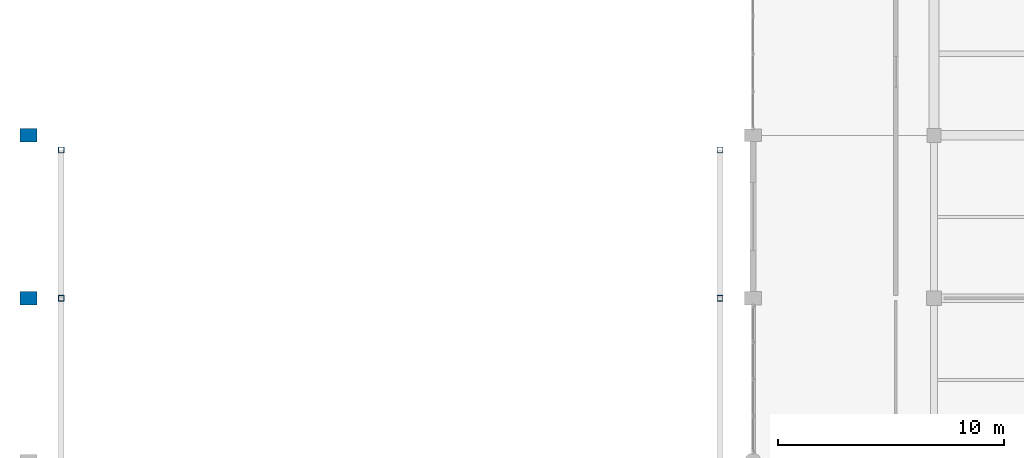
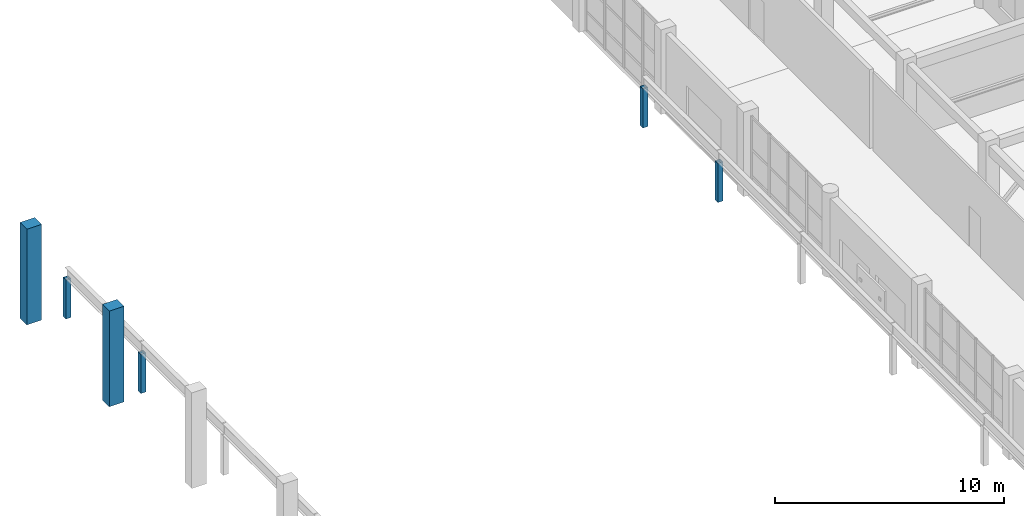
# One storey, part 15 of 160: 6 columns.
"""IFC4 building model written with IfcOpenShell, lengths in metres."""

from ifc_helpers import new_model, si_unit, direction, frame, origin, origin_2d, place, context, subcontext, project, spatial, rectangle, hollow_rectangle, extrude, material, material_profile, profile_set, type_object, element, save


model = new_model("IFC4")

# Units and contexts
model_context = context("Model", 3, precision=1e-05, world=origin(), true_north=direction((0.0, 1.0)))
body_context = subcontext(model_context, "Body", "Model", "MODEL_VIEW")
ifc_project = project(units=[si_unit("LENGTHUNIT", "METRE"), si_unit("AREAUNIT", "SQUARE_METRE"), si_unit("VOLUMEUNIT", "CUBIC_METRE"), si_unit("PLANEANGLEUNIT", "RADIAN"), si_unit("MASSUNIT", "GRAM", prefix="KILO")], contexts=[model_context])

# Site, building, storey
site_placement = place(None, origin())
site = spatial("IfcSite", under=ifc_project, at=site_placement, CompositionType="ELEMENT")
building_placement = place(site_placement, origin())
building = spatial("IfcBuilding", under=site, at=building_placement, Name="Kharva Crest Polytechnic", CompositionType="ELEMENT")
storey_placement = place(building_placement, frame((0.0, 0.0, 4.5)))
storey = spatial("IfcBuildingStorey", under=building, at=storey_placement, Name="L01", CompositionType="ELEMENT", Elevation=4.5)

# Columns
ifc_material_1 = material(Name="Concrete C40/50", Category="concrete")
ifc_material_profile_1 = material_profile(ifc_material_1, rectangle(XDim=0.75, YDim=0.60009765625, at=origin_2d()), Name="RECT 750 X 600")
ifc_profile_set_1 = profile_set([ifc_material_profile_1], Name="Concrete C40/50")
column_type_1 = type_object("IfcColumnType", Name="COL-EXT-750X600", PredefinedType="COLUMN", material=ifc_profile_set_1)
for number, where, z_axis, x_axis, name in (
    (1, (0.0, 86.0, 0.0), (0.0, 0.0, 1.0), (1.0, 0.0, 0.0), "L01 Column 1/M"),
    (2, (0.0, 93.199951171875, 0.0), (0.0, 0.0, 1.0), (1.0, 0.0, 0.0), "L01 Column 1/N"),
):
    element("IfcColumn", number, at=place(storey_placement, frame(where, z_axis=z_axis, x_axis=x_axis)), inside=storey, type_object=column_type_1, Name=name, PredefinedType="COLUMN", context=body_context, shape_type="SweptSolid", body=[
        extrude(rectangle(XDim=0.75, YDim=0.60009765625, at=origin_2d()), origin(), (0.0, 0.0, 1.0), 5.10009765625),
    ])
ifc_material_2 = material(Name="Steel S355", Category="steel")
ifc_material_profile_2 = material_profile(ifc_material_2, hollow_rectangle(XDim=0.25, YDim=0.25, WallThickness=0.010009765625, at=origin_2d()), Name="RHS 250X250X10.0")
ifc_profile_set_2 = profile_set([ifc_material_profile_2], Name="Steel S355")
column_type_2 = type_object("IfcColumnType", Name="COL-STL-RHS250", PredefinedType="COLUMN", material=ifc_profile_set_2)
for number, where, z_axis, x_axis, name in (
    (3, (1.449951171875, 86.0, 0.0), (0.0, 0.0, 1.0), (1.0, 0.0, 0.0), "L01 Crane Upper Column W7"),
    (4, (1.449951171875, 92.550048828125, 0.0), (0.0, 0.0, 1.0), (1.0, 0.0, 0.0), "L01 Crane Upper Column W8"),
    (5, (30.550048828125, 86.0, 0.0), (0.0, 0.0, 1.0), (1.0, 0.0, 0.0), "L01 Crane Upper Column E7"),
    (6, (30.550048828125, 92.550048828125, 0.0), (0.0, 0.0, 1.0), (1.0, 0.0, 0.0), "L01 Crane Upper Column E8"),
):
    element("IfcColumn", number, at=place(storey_placement, frame(where, z_axis=z_axis, x_axis=x_axis)), inside=storey, type_object=column_type_2, Name=name, PredefinedType="COLUMN", context=body_context, shape_type="SweptSolid", body=[
        extrude(hollow_rectangle(XDim=0.25, YDim=0.25, WallThickness=0.010009765625, at=origin_2d()), origin(), (0.0, 0.0, 1.0), 2.087890625),
    ])

save(model, "model.ifc")
